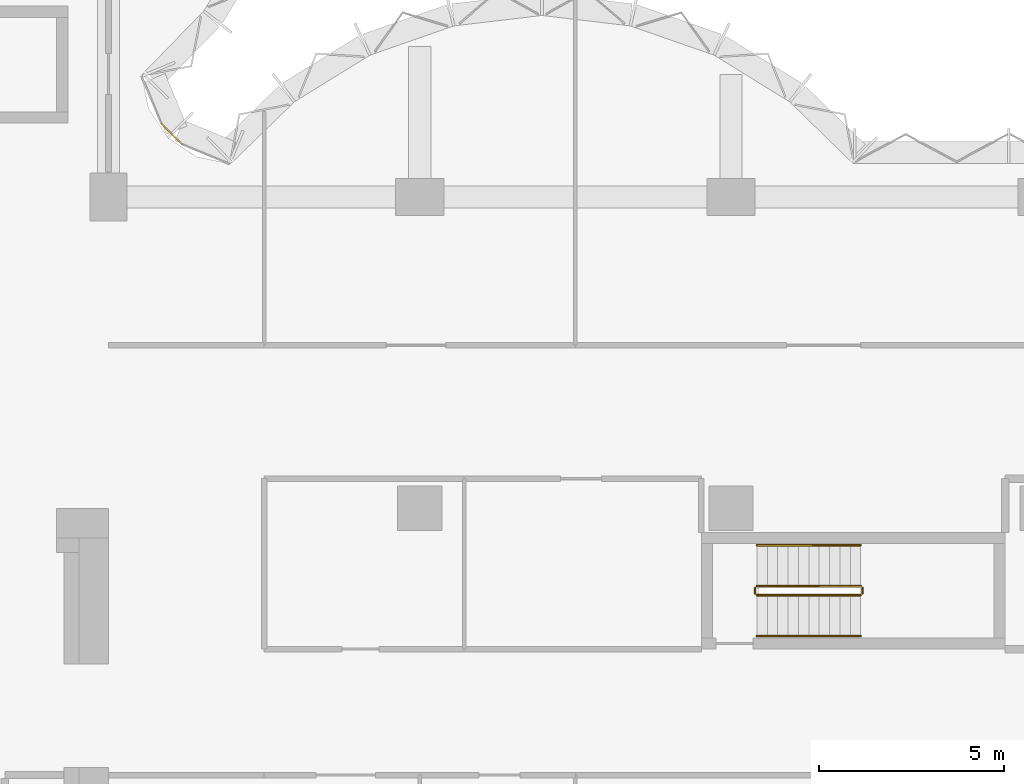
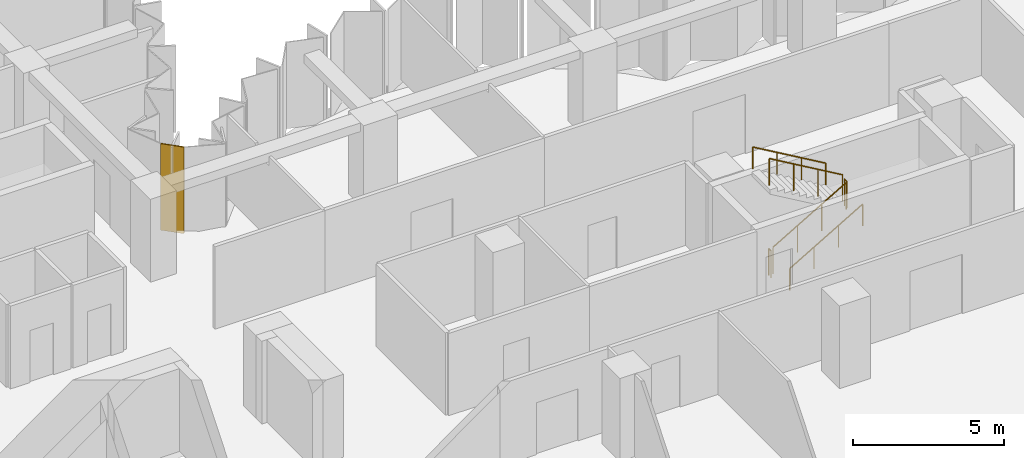
# One storey, part 13 of 13: 6 railings, 1 covering, 1 element without a shape of its own.
"""IFC4 building model written with IfcOpenShell, lengths in metres."""

from ifc_helpers import new_model, si_unit, direction, frame, origin, origin_2d, place, context, subcontext, project, spatial, polyline, circle, outline, extrude, material, layer, layer_set, type_object, element, aggregate, save


model = new_model("IFC4")

# Units and contexts
model_context = context("Model", 3, precision=1e-05, world=origin(), true_north=direction((0.0, 1.0)))
body_context = subcontext(model_context, "Body", "Model", "MODEL_VIEW")
ifc_project = project(units=[si_unit("LENGTHUNIT", "METRE"), si_unit("AREAUNIT", "SQUARE_METRE"), si_unit("VOLUMEUNIT", "CUBIC_METRE"), si_unit("PLANEANGLEUNIT", "RADIAN"), si_unit("MASSUNIT", "GRAM", prefix="KILO")], contexts=[model_context])

# Site, building, storey
site_placement = place(None, origin())
site = spatial("IfcSite", under=ifc_project, at=site_placement, CompositionType="ELEMENT")
building_placement = place(site_placement, origin())
building = spatial("IfcBuilding", under=site, at=building_placement, Name="Brevane Broadcast Tower", CompositionType="ELEMENT")
storey_placement = place(building_placement, frame((0.0, 0.0, 98.89990234375)))
storey = spatial("IfcBuildingStorey", under=building, at=storey_placement, Name="L23", CompositionType="ELEMENT", Elevation=98.89990234375)

# Railings
ifc_material_1 = material(Name="Steel S355", Category="steel")
railing_type_1 = type_object("IfcRailingType", Name="Exit stair guard", PredefinedType="GUARDRAIL", material=ifc_material_1)
railing_1_placement = place(storey_placement, frame((42.699951171875, 14.449951171875, 0.163818359375)))
element("IfcRailing", 1, at=railing_1_placement, inside=storey, type_object=railing_type_1, Name="L23 ST-4 stair guard 1", PredefinedType="GUARDRAIL", context=body_context, shape_type="SweptSolid", body=[
    extrude(circle(Radius=0.02392578125, at=origin_2d()), frame((0.0, 0.0, 1.076171875), z_axis=(0.863393664356, 0.0, 0.504530851732), x_axis=(0.0, 1.0, 0.0)), (0.0, 0.0, 1.0), 3.2431640625),
    extrude(circle(Radius=0.02099609375, at=origin_2d()), origin(), (0.0, 0.0, 1.0), 1.052001953125),
    extrude(circle(Radius=0.02099609375, at=origin_2d()), frame((0.933349609375, 0.0, 0.54541015625)), (0.0, 0.0, 1.0), 1.052001953125),
    extrude(circle(Radius=0.02099609375, at=origin_2d()), frame((1.86669921875, 0.0, 1.0908203125)), (0.0, 0.0, 1.0), 1.052001953125),
    extrude(circle(Radius=0.02099609375, at=origin_2d()), frame((2.800048828125, 0.0, 1.63623046875)), (0.0, 0.0, 1.0), 1.052001953125),
])
railing_2_placement = place(storey_placement, frame((45.550048828125, 14.5, 1.800048828125)))
element("IfcRailing", 2, at=railing_2_placement, inside=storey, type_object=railing_type_1, Name="L23 ST-4 stair guard 2", PredefinedType="GUARDRAIL", context=body_context, shape_type="SweptSolid", body=[
    extrude(circle(Radius=0.02392578125, at=origin_2d()), frame((0.0, 0.0, 1.076171875), z_axis=(0.0, 1.0, 0.0), x_axis=(-1.0, 0.0, 0.0)), (0.0, 0.0, 1.0), 0.14990234375),
    extrude(circle(Radius=0.02099609375, at=origin_2d()), origin(), (0.0, 0.0, 1.0), 1.052001953125),
    extrude(circle(Radius=0.02099609375, at=origin_2d()), frame((0.0, 0.14990234375, 0.0)), (0.0, 0.0, 1.0), 1.052001953125),
])
railing_3_placement = place(storey_placement, frame((45.5, 14.699951171875, 1.963623046875)))
element("IfcRailing", 3, at=railing_3_placement, inside=storey, type_object=railing_type_1, Name="L23 ST-4 stair guard 3", PredefinedType="GUARDRAIL", context=body_context, shape_type="SweptSolid", body=[
    extrude(circle(Radius=0.02392578125, at=origin_2d()), frame((0.0, 0.0, 1.076171875), z_axis=(-0.863360870873, 0.0, 0.504586966384), x_axis=(0.0, -1.0, 0.0)), (0.0, 0.0, 1.0), 3.2431640625),
    extrude(circle(Radius=0.02099609375, at=origin_2d()), origin(), (0.0, 0.0, 1.0), 1.052001953125),
    extrude(circle(Radius=0.02099609375, at=origin_2d()), frame((-0.933349609375, 0.0, 0.54541015625)), (0.0, 0.0, 1.0), 1.052001953125),
    extrude(circle(Radius=0.02099609375, at=origin_2d()), frame((-1.86669921875, 0.0, 1.091064453125)), (0.0, 0.0, 1.0), 1.052001953125),
    extrude(circle(Radius=0.02099609375, at=origin_2d()), frame((-2.800048828125, 0.0, 1.636474609375)), (0.0, 0.0, 1.0), 1.052001953125),
])
railing_4_placement = place(storey_placement, frame((42.64990234375, 14.5, 0.0)))
element("IfcRailing", 4, at=railing_4_placement, inside=storey, type_object=railing_type_1, Name="L23 ST-4 stair guard 4", PredefinedType="GUARDRAIL", context=body_context, shape_type="SweptSolid", body=[
    extrude(circle(Radius=0.02392578125, at=origin_2d()), frame((0.0, 0.0, 1.076171875), z_axis=(0.0, 1.0, 0.0), x_axis=(-1.0, 0.0, 0.0)), (0.0, 0.0, 1.0), 0.14990234375),
    extrude(circle(Radius=0.02099609375, at=origin_2d()), origin(), (0.0, 0.0, 1.0), 1.052001953125),
    extrude(circle(Radius=0.02099609375, at=origin_2d()), frame((0.0, 0.14990234375, 0.0)), (0.0, 0.0, 1.0), 1.052001953125),
])
railing_type_2 = type_object("IfcRailingType", Name="Exit stair handrail", PredefinedType="HANDRAIL", material=ifc_material_1)
railing_5_placement = place(storey_placement, frame((42.699951171875, 13.35009765625, 0.163818359375)))
element("IfcRailing", 5, at=railing_5_placement, inside=storey, type_object=railing_type_2, Name="L23 ST-4 stair handrail 1", PredefinedType="HANDRAIL", context=body_context, shape_type="SweptSolid", body=[
    extrude(circle(Radius=0.02392578125, at=origin_2d()), frame((0.0, 0.0, 0.8759765625), z_axis=(0.863393664356, 0.0, 0.504530851732), x_axis=(0.0, 1.0, 0.0)), (0.0, 0.0, 1.0), 3.2431640625),
    extrude(circle(Radius=0.02099609375, at=origin_2d()), origin(), (0.0, 0.0, 1.0), 0.851806640625),
    extrude(circle(Radius=0.02099609375, at=origin_2d()), frame((0.933349609375, 0.0, 0.54541015625)), (0.0, 0.0, 1.0), 0.851806640625),
    extrude(circle(Radius=0.02099609375, at=origin_2d()), frame((1.86669921875, 0.0, 1.0908203125)), (0.0, 0.0, 1.0), 0.851806640625),
    extrude(circle(Radius=0.02099609375, at=origin_2d()), frame((2.800048828125, 0.0, 1.63623046875)), (0.0, 0.0, 1.0), 0.851806640625),
])
railing_6_placement = place(storey_placement, frame((45.5, 15.800048828125, 1.963623046875)))
element("IfcRailing", 6, at=railing_6_placement, inside=storey, type_object=railing_type_2, Name="L23 ST-4 stair handrail 2", PredefinedType="HANDRAIL", context=body_context, shape_type="SweptSolid", body=[
    extrude(circle(Radius=0.02392578125, at=origin_2d()), frame((0.0, 0.0, 0.8759765625), z_axis=(-0.863360870873, 0.0, 0.504586966384), x_axis=(0.0, -1.0, 0.0)), (0.0, 0.0, 1.0), 3.2431640625),
    extrude(circle(Radius=0.02099609375, at=origin_2d()), origin(), (0.0, 0.0, 1.0), 0.851806640625),
    extrude(circle(Radius=0.02099609375, at=origin_2d()), frame((-0.933349609375, 0.0, 0.54541015625)), (0.0, 0.0, 1.0), 0.851806640625),
    extrude(circle(Radius=0.02099609375, at=origin_2d()), frame((-1.86669921875, 0.0, 1.091064453125)), (0.0, 0.0, 1.0), 0.851806640625),
    extrude(circle(Radius=0.02099609375, at=origin_2d()), frame((-2.800048828125, 0.0, 1.636474609375)), (0.0, 0.0, 1.0), 0.851806640625),
])

# Curtain wall, covering
ifc_material_2 = material(Name="Aluminium 6063-T6 bronze anodised", Category="aluminium")
curtain_wall_type = type_object("IfcCurtainWallType", Name="CW-1 curtain wall", PredefinedType="NOTDEFINED", material=ifc_material_2)
curtain_wall_placement = place(storey_placement, origin())
curtain_wall = element("IfcCurtainWall", 7, at=curtain_wall_placement, inside=storey, type_object=curtain_wall_type, Name="CW-1 typical tilted unit L23 inner corner", PredefinedType="NOTDEFINED")
ifc_material_3 = material(Name="Back-painted bronze glass shadow-box", Category="glass")
ifc_layer = layer(ifc_material_3, 0.0400390625)
ifc_layer_set = layer_set([ifc_layer], Name="Shadow-box panel 40")
covering_type = type_object("IfcCoveringType", Name="Shadow-box panel 40", PredefinedType="CLADDING", material=ifc_layer_set)
covering_placement = place(storey_placement, frame((0.0, 0.0, -0.14990234375)))
covering = element("IfcCovering", 8, at=covering_placement, type_object=covering_type, Name="Closure panel", PredefinedType="CLADDING", context=body_context, shape_type="SweptSolid", body=[
    extrude(outline(polyline([(27.17138671875, 26.60498046875), (27.2021484375, 26.635498046875), (26.635498046875, 27.2021484375), (26.60498046875, 27.17138671875), (27.17138671875, 26.60498046875)])), origin(), (0.0, 0.0, 1.0), 3.5),
])
aggregate(curtain_wall, [covering])

save(model, "model.ifc")
